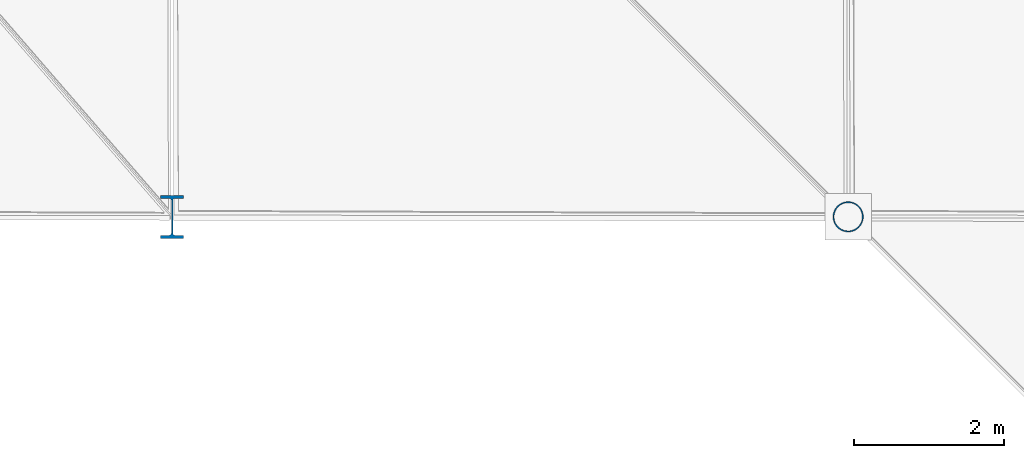
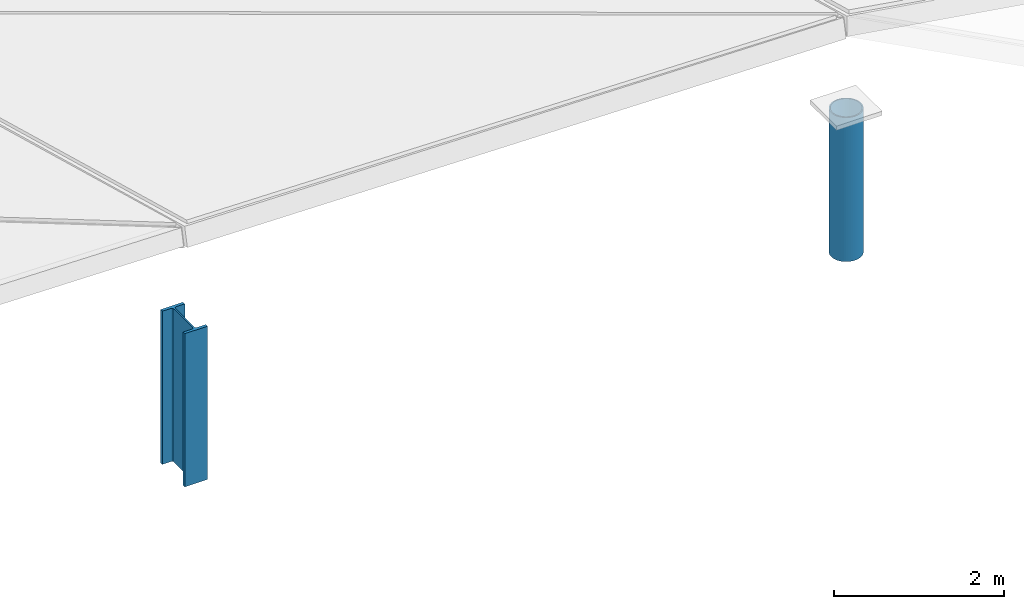
# One storey, part 3 of 58: 2 columns.
"""IFC4 building model written with IfcOpenShell, lengths in metres."""

import ifcopenshell
import ifcopenshell.guid

model = None  # the IFC model being written
_history = None  # IfcOwnerHistory: only IFC2X3 demands one
_inside = {}  # id of a spatial element -> (the spatial element, [elements in it])
_under = {}  # id of a project, library or spatial element -> (it, [spatial elements below it])
_declared = {}  # id of a project -> (the project, [libraries it declares])
_typed = {}  # id of a type object -> (the type object, [elements of that type])
_made_of = {}  # id of a material, layer set ... -> (it, [elements and type objects made of it])


def new_model(schema):
    """Start an empty IFC model of exactly this schema.

    Asked for "IFC4X3", IfcOpenShell would pick the latest addendum, in which some entities
    have other attributes; the version numbers below select the first issue.
    IFC2X3 requires an IfcOwnerHistory on every rooted entity: one is made here for all.
    """
    global model, _history
    if schema == "IFC4X3":
        model = ifcopenshell.file(schema_version=(4, 3, 0, 0))
    else:
        model = ifcopenshell.file(schema=schema)
    _inside.clear()
    _under.clear()
    _declared.clear()
    _typed.clear()
    _made_of.clear()
    _history = None
    if model.schema == "IFC2X3":
        org = make("IfcOrganization", Name="unknown")
        user = make(
            "IfcPersonAndOrganization",
            ThePerson=make("IfcPerson", FamilyName="unknown"),
            TheOrganization=org,
        )
        app = make(
            "IfcApplication",
            ApplicationDeveloper=org,
            Version="unknown",
            ApplicationFullName="unknown",
            ApplicationIdentifier="unknown",
        )
        _history = make(
            "IfcOwnerHistory",
            OwningUser=user,
            OwningApplication=app,
            ChangeAction="ADDED",
            CreationDate=0,
        )
    return model


def make(cls, **values):
    """One entity of the class cls with the attributes given. An attribute that is None is left unset."""
    return model.create_entity(
        cls, **{name: value for name, value in values.items() if value is not None}
    )


def rooted(cls, **values):
    """An entity with a GlobalId (a new one), such as an element, a storey or a relation."""
    return make(cls, GlobalId=ifcopenshell.guid.new(), OwnerHistory=_history, **values)


def si_unit(unit_type, name, prefix=None):
    """IfcSIUnit, for example si_unit("LENGTHUNIT", "METRE", prefix="MILLI")."""
    return make("IfcSIUnit", UnitType=unit_type, Prefix=prefix, Name=name)


def assignment(units):
    """IfcUnitAssignment: the units of a project."""
    return None if units is None else make("IfcUnitAssignment", Units=units)


def point(xyz):
    """IfcCartesianPoint."""
    return None if xyz is None else make("IfcCartesianPoint", Coordinates=xyz)


def direction(xyz):
    """IfcDirection."""
    return None if xyz is None else make("IfcDirection", DirectionRatios=xyz)


def frame(location, z_axis=None, x_axis=None):
    """IfcAxis2Placement3D, a coordinate frame: its origin and axes. An axis left out is left unset."""
    return make(
        "IfcAxis2Placement3D",
        Location=point(location),
        Axis=direction(z_axis),
        RefDirection=direction(x_axis),
    )


def frame_2d(location, x_axis=None):
    """IfcAxis2Placement2D, a coordinate frame in the plane: its origin and x axis."""
    return make(
        "IfcAxis2Placement2D", Location=point(location), RefDirection=direction(x_axis)
    )


def origin():
    """The frame at (0, 0, 0) with its axes left unset."""
    return frame((0.0, 0.0, 0.0))


def origin_2d():
    """The frame at (0, 0) in the plane with its x axis left unset."""
    return frame_2d((0.0, 0.0))


def place(relative_to, where):
    """IfcLocalPlacement: puts the frame where relative to a parent placement (None: the world)."""
    return make(
        "IfcLocalPlacement", PlacementRelTo=relative_to, RelativePlacement=where
    )


def context(
    kind, dimensions, precision=None, world=None, true_north=None, identifier=None
):
    """IfcGeometricRepresentationContext, for example the 3D "Model" context."""
    return make(
        "IfcGeometricRepresentationContext",
        ContextIdentifier=identifier,
        ContextType=kind,
        CoordinateSpaceDimension=dimensions,
        Precision=precision,
        WorldCoordinateSystem=world,
        TrueNorth=true_north,
    )


def subcontext(parent, identifier, kind, view, scale=None):
    """IfcGeometricRepresentationSubContext, for example "Body" below "Model"."""
    return make(
        "IfcGeometricRepresentationSubContext",
        ContextIdentifier=identifier,
        ContextType=kind,
        ParentContext=parent,
        TargetScale=scale,
        TargetView=view,
    )


def project(units=None, contexts=None):
    """IfcProject with its units and contexts."""
    return rooted(
        "IfcProject",
        Name="project",
        RepresentationContexts=contexts,
        UnitsInContext=assignment(units),
    )


def spatial(cls, under=None, at=None, **own):
    """A site, building, storey or space (cls), placed at a placement, below another one or the project."""
    s = rooted(cls, ObjectPlacement=at, **own)
    if under is not None:
        _under.setdefault(under.id(), (under, []))[1].append(s)
    return s


def profile(cls, at=None, kind="AREA", **sizes):
    """A parametric profile (cls). Its sizes go by their IFC names, for example OverallWidth=200.0."""
    return make(cls, ProfileType=kind, Position=at, **sizes)


def hollow_circle(**sizes):
    """IfcCircleHollowProfileDef."""
    return profile("IfcCircleHollowProfileDef", **sizes)


def i_section(**sizes):
    """IfcIShapeProfileDef."""
    return profile("IfcIShapeProfileDef", **sizes)


def extrude(swept, where, along, depth):
    """IfcExtrudedAreaSolid: the profile swept, set in the frame where, extruded along a direction by depth."""
    return make(
        "IfcExtrudedAreaSolid",
        SweptArea=swept,
        Position=where,
        ExtrudedDirection=direction(along),
        Depth=depth,
    )


def shape(context_of_items, identifier, shape_type, items):
    """IfcShapeRepresentation: the items that make up one representation, for example the "Body"."""
    return make(
        "IfcShapeRepresentation",
        ContextOfItems=context_of_items,
        RepresentationIdentifier=identifier,
        RepresentationType=shape_type,
        Items=items,
    )


def material(Name=None, Category=None):
    """IfcMaterial."""
    return make("IfcMaterial", Name=Name, Category=Category)


def material_profile(
    of_material, cross_section, Name=None, Category=None, Priority=None
):
    """IfcMaterialProfile: a cross section and its material."""
    return make(
        "IfcMaterialProfile",
        Name=Name,
        Material=of_material,
        Profile=cross_section,
        Priority=Priority,
        Category=Category,
    )


def profile_set(profiles, Name=None, composite=None):
    """IfcMaterialProfileSet."""
    return make(
        "IfcMaterialProfileSet",
        Name=Name,
        MaterialProfiles=profiles,
        CompositeProfile=composite,
    )


def made_of(thing, what):
    """Note that an element or type object is made of a material, layer set ...; save() writes the relation."""
    if what is not None:
        _made_of.setdefault(what.id(), (what, []))[1].append(thing)
    return thing


def type_object(cls, material=None, **own):
    """A type object (cls), such as IfcWallType, which elements share."""
    return made_of(rooted(cls, **own), material)


def element(
    cls,
    number,
    at=None,
    inside=None,
    cuts=None,
    type_object=None,
    material=None,
    context=None,
    identifier="Body",
    shape_type=None,
    held_by="IfcProductDefinitionShape",
    body=None,
    shapes=None,
    **own,
):
    """One element of the class cls, such as IfcWall. Its Tag is "e" and its number.

    at: its placement. inside: the storey or other place that contains it. cuts: it is an
    opening in that element (IfcRelVoidsElement). A single representation is given by context,
    identifier, shape_type and body (its items); several are given by shapes. held_by: the class
    of the entity that holds the representations. save() writes the other relations.
    """
    e = rooted(cls, Tag="e%d" % number, ObjectPlacement=at, **own)
    if body is not None:
        shapes = [shape(context, identifier, shape_type, body)]
    if shapes is not None:
        e.Representation = make(held_by, Representations=shapes)
    if inside is not None:
        _inside.setdefault(inside.id(), (inside, []))[1].append(e)
    if cuts is not None:
        rooted(
            "IfcRelVoidsElement", RelatingBuildingElement=cuts, RelatedOpeningElement=e
        )
    if type_object is not None:
        _typed.setdefault(type_object.id(), (type_object, []))[1].append(e)
    return made_of(e, material)


def aggregate(whole, parts):
    """IfcRelAggregates: a whole, such as a stair, and the parts it consists of."""
    return rooted("IfcRelAggregates", RelatingObject=whole, RelatedObjects=parts)


def save(model, path):
    """Write the relations noted so far, then the file.

    IfcRelAggregates (storeys below a building ...), IfcRelContainedInSpatialStructure (elements
    in a storey), IfcRelDefinesByType, IfcRelAssociatesMaterial and IfcRelDeclares: one each for
    every whole, place, type object, material and project.
    """
    for whole, parts in _under.values():
        aggregate(whole, parts)
    for where, things in _inside.values():
        rooted(
            "IfcRelContainedInSpatialStructure",
            RelatedElements=things,
            RelatingStructure=where,
        )
    for kind, things in _typed.values():
        rooted("IfcRelDefinesByType", RelatedObjects=things, RelatingType=kind)
    for what, things in _made_of.values():
        rooted("IfcRelAssociatesMaterial", RelatedObjects=things, RelatingMaterial=what)
    for by, libraries in _declared.values():
        rooted("IfcRelDeclares", RelatingContext=by, RelatedDefinitions=libraries)
    model.write(path)


model = new_model("IFC4")

# Units and contexts
model_context = context("Model", 3, precision=1e-05, world=origin(), true_north=direction((0.0, 1.0)))
body_context = subcontext(model_context, "Body", "Model", "MODEL_VIEW")
ifc_project = project(units=[si_unit("LENGTHUNIT", "METRE"), si_unit("AREAUNIT", "SQUARE_METRE"), si_unit("VOLUMEUNIT", "CUBIC_METRE"), si_unit("PLANEANGLEUNIT", "RADIAN"), si_unit("MASSUNIT", "GRAM", prefix="KILO")], contexts=[model_context])

# Site, building, storey
site_placement = place(None, origin())
site = spatial("IfcSite", under=ifc_project, at=site_placement, CompositionType="ELEMENT")
building_placement = place(site_placement, origin())
building = spatial("IfcBuilding", under=site, at=building_placement, Name="Barlavento Convention Centre", CompositionType="ELEMENT")
storey_placement = place(building_placement, frame((0.0, 0.0, 26.800048828125)))
storey = spatial("IfcBuildingStorey", under=building, at=storey_placement, Name="L05", CompositionType="ELEMENT", Elevation=26.800048828125)

# Columns
ifc_material = material(Name="Steel S355", Category="steel")
ifc_material_profile_1 = material_profile(ifc_material, hollow_circle(Radius=0.203125, WallThickness=0.01611328125, at=origin_2d()), Name="CHS 406.4x16.0")
ifc_profile_set_1 = profile_set([ifc_material_profile_1], Name="Steel S355")
column_type_1 = type_object("IfcColumnType", Name="STR-COL-CHS406", PredefinedType="COLUMN", material=ifc_profile_set_1)
column_1_placement = place(storey_placement, frame((9.0, 36.0, 0.0), z_axis=(0.0, 0.0, 1.0), x_axis=(1.0, 0.0, 0.0)))
element("IfcColumn", 1, at=column_1_placement, inside=storey, type_object=column_type_1, Name="L05 Congress hall column SC14", PredefinedType="COLUMN", context=body_context, shape_type="SweptSolid", body=[
    extrude(hollow_circle(Radius=0.203125, WallThickness=0.01611328125, at=origin_2d()), origin(), (0.0, 0.0, 1.0), 2.070556640625),
])
ifc_material_profile_2 = material_profile(ifc_material, i_section(OverallWidth=0.305908203125, OverallDepth=0.572021484375, WebThickness=0.02099609375, FlangeThickness=0.0400390625, FilletRadius=0.027099609375, at=origin_2d()), Name="HEM 550")
ifc_profile_set_2 = profile_set([ifc_material_profile_2], Name="Steel S355")
column_type_2 = type_object("IfcColumnType", Name="STR-COL-HEM550", PredefinedType="COLUMN", material=ifc_profile_set_2)
column_2_placement = place(storey_placement, frame((0.0, 36.0, 0.0), z_axis=(0.0, 0.0, 1.0), x_axis=(1.0, 0.0, 0.0)))
element("IfcColumn", 2, at=column_2_placement, inside=storey, type_object=column_type_2, Name="L05 Congress hall column SC06", PredefinedType="COLUMN", context=body_context, shape_type="SweptSolid", body=[
    extrude(i_section(OverallWidth=0.305908203125, OverallDepth=0.572021484375, WebThickness=0.02099609375, FlangeThickness=0.0400390625, FilletRadius=0.027099609375, at=origin_2d()), origin(), (0.0, 0.0, 1.0), 2.201171875),
])

save(model, "model.ifc")
